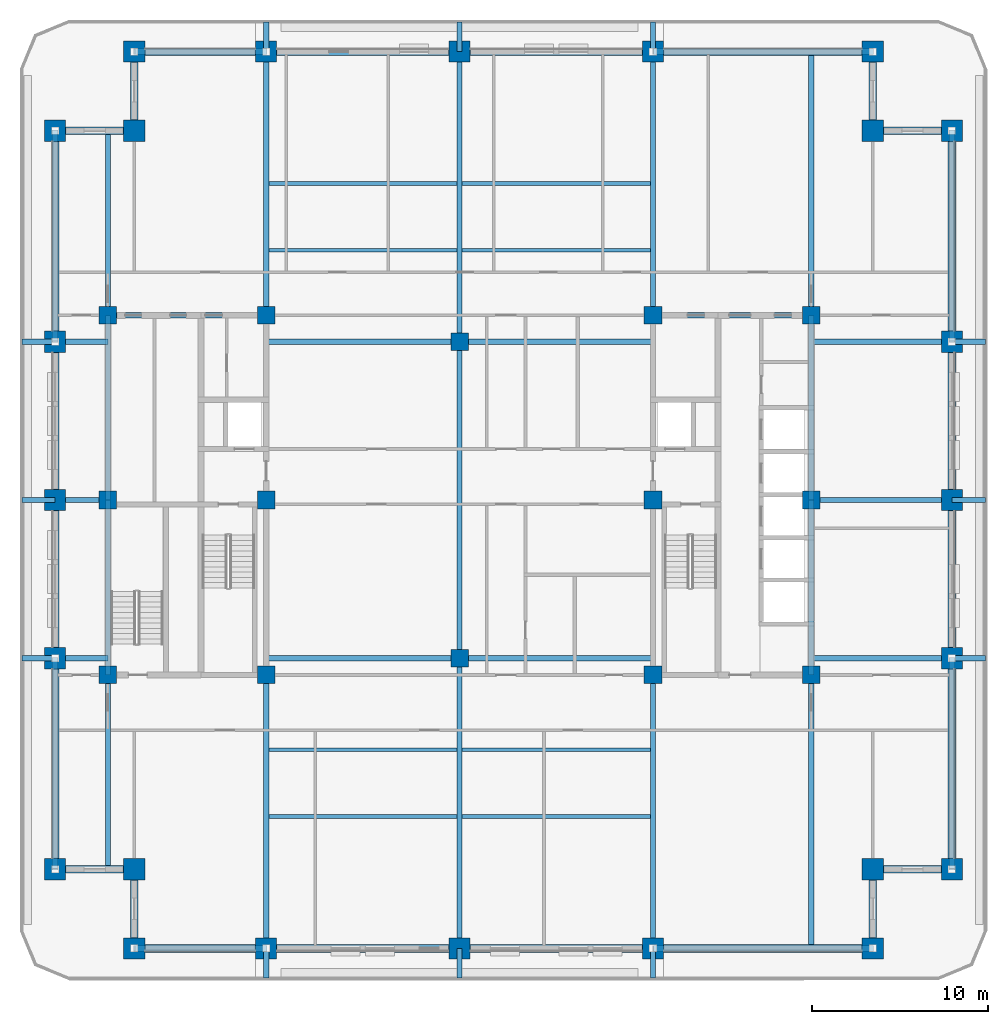
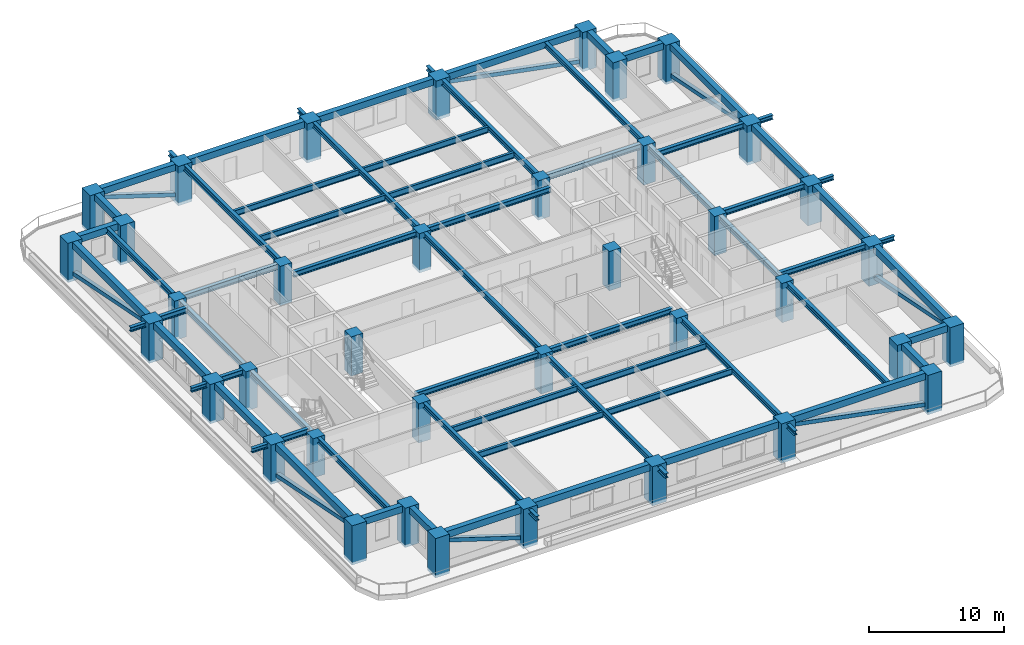
# One storey, part 1 of 14: 71 beams, 38 columns, 8 members.
"""IFC4 building model written with IfcOpenShell, lengths in metres."""

from ifc_helpers import new_model, si_unit, direction, frame, origin, origin_2d, place, context, subcontext, project, spatial, rectangle, hollow_rectangle, i_section, extrude, material, material_profile, profile_set, type_object, element, save


model = new_model("IFC4")

# Units and contexts
model_context = context("Model", 3, precision=1e-05, world=origin(), true_north=direction((0.0, 1.0)))
body_context = subcontext(model_context, "Body", "Model", "MODEL_VIEW")
ifc_project = project(units=[si_unit("LENGTHUNIT", "METRE"), si_unit("AREAUNIT", "SQUARE_METRE"), si_unit("VOLUMEUNIT", "CUBIC_METRE"), si_unit("PLANEANGLEUNIT", "RADIAN"), si_unit("MASSUNIT", "GRAM", prefix="KILO")], contexts=[model_context])

# Site, building, storey
site_placement = place(None, origin())
site = spatial("IfcSite", under=ifc_project, at=site_placement, CompositionType="ELEMENT")
building_placement = place(site_placement, origin())
building = spatial("IfcBuilding", under=site, at=building_placement, Name="Zulmaris Gate Convention Tower", CompositionType="ELEMENT")
storey_placement = place(building_placement, frame((0.0, 0.0, 94.929931640625)))
storey = spatial("IfcBuildingStorey", under=building, at=storey_placement, Name="L23", CompositionType="ELEMENT", Elevation=94.929931640625)

# Columns
ifc_material_1 = material(Name="Concrete C60/75", Category="concrete")
ifc_material_profile_1 = material_profile(ifc_material_1, rectangle(XDim=1.0, YDim=1.0, at=origin_2d()), Name="RC COL 1000x1000")
ifc_profile_set_1 = profile_set([ifc_material_profile_1], Name="Concrete C60/75")
column_type_1 = type_object("IfcColumnType", Name="COL-RC1000", PredefinedType="COLUMN", material=ifc_profile_set_1)
for number, where, z_axis, x_axis, name in (
    (1, (-20.0, -9.949951171875, -0.25), (0.0, 0.0, 1.0), (1.0, 0.0, 0.0), "L23 Column IN--20.00_-9.95"),
    (2, (-20.0, 10.5, -0.25), (0.0, 0.0, 1.0), (1.0, 0.0, 0.0), "L23 Column IN--20.00_+10.50"),
    (3, (-11.0, -9.949951171875, -0.25), (0.0, 0.0, 1.0), (1.0, 0.0, 0.0), "L23 Column IN--11.00_-9.95"),
    (4, (-11.0, 0.0, -0.25), (0.0, 0.0, 1.0), (1.0, 0.0, 0.0), "L23 Column IN--11.00_+0.00"),
    (5, (-11.0, 10.5, -0.25), (0.0, 0.0, 1.0), (1.0, 0.0, 0.0), "L23 Column IN--11.00_+10.50"),
    (6, (11.0, -9.949951171875, -0.25), (0.0, 0.0, 1.0), (1.0, 0.0, 0.0), "L23 Column IN-+11.00_-9.95"),
    (7, (11.0, 0.0, -0.25), (0.0, 0.0, 1.0), (1.0, 0.0, 0.0), "L23 Column IN-+11.00_+0.00"),
    (8, (11.0, 10.5, -0.25), (0.0, 0.0, 1.0), (1.0, 0.0, 0.0), "L23 Column IN-+11.00_+10.50"),
    (9, (20.0, -9.949951171875, -0.25), (0.0, 0.0, 1.0), (1.0, 0.0, 0.0), "L23 Column IN-+20.00_-9.95"),
    (10, (20.0, 10.5, -0.25), (0.0, 0.0, 1.0), (1.0, 0.0, 0.0), "L23 Column IN-+20.00_+10.50"),
    (11, (0.0, -9.0, -0.25), (0.0, 0.0, 1.0), (1.0, 0.0, 0.0), "L23 Column IN-+0.00_-9.00"),
    (12, (0.0, 9.0, -0.25), (0.0, 0.0, 1.0), (1.0, 0.0, 0.0), "L23 Column IN-+0.00_+9.00"),
    (13, (-20.0, 0.0, -0.25), (0.0, 0.0, 1.0), (1.0, 0.0, 0.0), "L23 Column IN--20.00_+0.00"),
    (14, (20.0, 0.0, -0.25), (0.0, 0.0, 1.0), (1.0, 0.0, 0.0), "L23 Column IN-+20.00_+0.00"),
):
    element("IfcColumn", number, at=place(storey_placement, frame(where, z_axis=z_axis, x_axis=x_axis)), inside=storey, type_object=column_type_1, Name=name, PredefinedType="COLUMN", context=body_context, shape_type="SweptSolid", body=[
        extrude(rectangle(XDim=1.0, YDim=1.0, at=origin_2d()), origin(), (0.0, 0.0, 1.0), 3.545166015625),
    ])
ifc_material_2 = material(Name="Concrete C70/85", Category="concrete")
ifc_material_profile_2 = material_profile(ifc_material_2, rectangle(XDim=1.199951171875, YDim=1.199951171875, at=origin_2d()), Name="RC COL 1200x1200")
ifc_profile_set_2 = profile_set([ifc_material_profile_2], Name="Concrete C70/85")
column_type_2 = type_object("IfcColumnType", Name="COL-RC1200", PredefinedType="COLUMN", material=ifc_profile_set_2)
for number, where, z_axis, x_axis, name in (
    (15, (-18.5, -25.5, -0.25), (0.0, 0.0, 1.0), (1.0, 0.0, 0.0), "L23 Column PT--18.50_-25.50"),
    (16, (-11.0, -25.5, -0.25), (0.0, 0.0, 1.0), (1.0, 0.0, 0.0), "L23 Column PT--11.00_-25.50"),
    (17, (0.0, -25.5, -0.25), (0.0, 0.0, 1.0), (1.0, 0.0, 0.0), "L23 Column PT-+0.00_-25.50"),
    (18, (11.0, -25.5, -0.25), (0.0, 0.0, 1.0), (1.0, 0.0, 0.0), "L23 Column PT-+11.00_-25.50"),
    (19, (23.5, -25.5, -0.25), (0.0, 0.0, 1.0), (1.0, 0.0, 0.0), "L23 Column PT-+23.50_-25.50"),
    (20, (-18.5, 25.5, -0.25), (0.0, 0.0, 1.0), (1.0, 0.0, 0.0), "L23 Column PT--18.50_+25.50"),
    (21, (-11.0, 25.5, -0.25), (0.0, 0.0, 1.0), (1.0, 0.0, 0.0), "L23 Column PT--11.00_+25.50"),
    (22, (0.0, 25.5, -0.25), (0.0, 0.0, 1.0), (1.0, 0.0, 0.0), "L23 Column PT-+0.00_+25.50"),
    (23, (11.0, 25.5, -0.25), (0.0, 0.0, 1.0), (1.0, 0.0, 0.0), "L23 Column PT-+11.00_+25.50"),
    (24, (23.5, 25.5, -0.25), (0.0, 0.0, 1.0), (1.0, 0.0, 0.0), "L23 Column PT-+23.50_+25.50"),
    (25, (-23.0, -21.0, -0.25), (0.0, 0.0, 1.0), (1.0, 0.0, 0.0), "L23 Column PT--23.00_-21.00"),
    (26, (-23.0, -9.0, -0.25), (0.0, 0.0, 1.0), (1.0, 0.0, 0.0), "L23 Column PT--23.00_-9.00"),
    (27, (-23.0, 0.0, -0.25), (0.0, 0.0, 1.0), (1.0, 0.0, 0.0), "L23 Column PT--23.00_+0.00"),
    (28, (-23.0, 9.0, -0.25), (0.0, 0.0, 1.0), (1.0, 0.0, 0.0), "L23 Column PT--23.00_+9.00"),
    (29, (-23.0, 21.0, -0.25), (0.0, 0.0, 1.0), (1.0, 0.0, 0.0), "L23 Column PT--23.00_+21.00"),
    (30, (28.0, -21.0, -0.25), (0.0, 0.0, 1.0), (1.0, 0.0, 0.0), "L23 Column PT-+28.00_-21.00"),
    (31, (28.0, -9.0, -0.25), (0.0, 0.0, 1.0), (1.0, 0.0, 0.0), "L23 Column PT-+28.00_-9.00"),
    (32, (28.0, 0.0, -0.25), (0.0, 0.0, 1.0), (1.0, 0.0, 0.0), "L23 Column PT-+28.00_+0.00"),
    (33, (28.0, 9.0, -0.25), (0.0, 0.0, 1.0), (1.0, 0.0, 0.0), "L23 Column PT-+28.00_+9.00"),
    (34, (28.0, 21.0, -0.25), (0.0, 0.0, 1.0), (1.0, 0.0, 0.0), "L23 Column PT-+28.00_+21.00"),
    (35, (-18.5, -21.0, -0.25), (0.0, 0.0, 1.0), (1.0, 0.0, 0.0), "L23 Column PT--18.50_-21.00"),
    (36, (23.5, -21.0, -0.25), (0.0, 0.0, 1.0), (1.0, 0.0, 0.0), "L23 Column PT-+23.50_-21.00"),
    (37, (23.5, 21.0, -0.25), (0.0, 0.0, 1.0), (1.0, 0.0, 0.0), "L23 Column PT-+23.50_+21.00"),
    (38, (-18.5, 21.0, -0.25), (0.0, 0.0, 1.0), (1.0, 0.0, 0.0), "L23 Column PT--18.50_+21.00"),
):
    element("IfcColumn", number, at=place(storey_placement, frame(where, z_axis=z_axis, x_axis=x_axis)), inside=storey, type_object=column_type_2, Name=name, PredefinedType="COLUMN", context=body_context, shape_type="SweptSolid", body=[
        extrude(rectangle(XDim=1.199951171875, YDim=1.199951171875, at=origin_2d()), origin(), (0.0, 0.0, 1.0), 3.545166015625),
    ])

# Beams
ifc_material_3 = material(Name="Steel S355", Category="steel")
ifc_material_profile_3 = material_profile(ifc_material_3, i_section(OverallWidth=0.300048828125, OverallDepth=0.39990234375, WebThickness=0.013427734375, FlangeThickness=0.02392578125, FilletRadius=0.027099609375, at=origin_2d()), Name="HEB 400")
ifc_profile_set_3 = profile_set([ifc_material_profile_3], Name="Steel S355")
beam_type_1 = type_object("IfcBeamType", Name="BM-HEB400", PredefinedType="BEAM", material=ifc_profile_set_3)
for number, where, z_axis, x_axis, name in (
    (39, (-11.0, -27.199951171875, 2.955078125), (0.0, 1.0, 0.0), (-1.0, 0.0, 0.0), "L23 Beam TBRK-L23-S--11"),
    (40, (-11.0, 25.5, 2.955078125), (0.0, 1.0, 0.0), (-1.0, 0.0, 0.0), "L23 Beam TBRK-L23-N--11"),
    (41, (0.0, -27.199951171875, 2.955078125), (0.0, 1.0, 0.0), (-1.0, 0.0, 0.0), "L23 Beam TBRK-L23-S-+0"),
    (42, (0.0, 25.5, 2.955078125), (0.0, 1.0, 0.0), (-1.0, 0.0, 0.0), "L23 Beam TBRK-L23-N-+0"),
    (43, (11.0, -27.199951171875, 2.955078125), (0.0, 1.0, 0.0), (-1.0, 0.0, 0.0), "L23 Beam TBRK-L23-S-+11"),
    (44, (11.0, 25.5, 2.955078125), (0.0, 1.0, 0.0), (-1.0, 0.0, 0.0), "L23 Beam TBRK-L23-N-+11"),
):
    element("IfcBeam", number, at=place(storey_placement, frame(where, z_axis=z_axis, x_axis=x_axis)), inside=storey, type_object=beam_type_1, Name=name, PredefinedType="BEAM", context=body_context, shape_type="SweptSolid", body=[
        extrude(i_section(OverallWidth=0.300048828125, OverallDepth=0.39990234375, WebThickness=0.013427734375, FlangeThickness=0.02392578125, FilletRadius=0.027099609375, at=origin_2d()), origin(), (0.0, 0.0, 1.0), 1.699951171875),
    ])
for number, where, z_axis, x_axis, name in (
    (45, (-24.89990234375, -9.0, 2.955078125), (1.0, 0.0, 0.0), (0.0, 1.0, 0.0), "L23 Beam TBRK-L23-W--9"),
    (46, (28.0, -9.0, 2.955078125), (1.0, 0.0, 0.0), (0.0, 1.0, 0.0), "L23 Beam TBRK-L23-E--9"),
    (47, (-24.89990234375, 0.0, 2.955078125), (1.0, 0.0, 0.0), (0.0, 1.0, 0.0), "L23 Beam TBRK-L23-W-+0"),
    (48, (28.0, 0.0, 2.955078125), (1.0, 0.0, 0.0), (0.0, 1.0, 0.0), "L23 Beam TBRK-L23-E-+0"),
    (49, (-24.89990234375, 9.0, 2.955078125), (1.0, 0.0, 0.0), (0.0, 1.0, 0.0), "L23 Beam TBRK-L23-W-+9"),
    (50, (28.0, 9.0, 2.955078125), (1.0, 0.0, 0.0), (0.0, 1.0, 0.0), "L23 Beam TBRK-L23-E-+9"),
):
    element("IfcBeam", number, at=place(storey_placement, frame(where, z_axis=z_axis, x_axis=x_axis)), inside=storey, type_object=beam_type_1, Name=name, PredefinedType="BEAM", context=body_context, shape_type="SweptSolid", body=[
        extrude(i_section(OverallWidth=0.300048828125, OverallDepth=0.39990234375, WebThickness=0.013427734375, FlangeThickness=0.02392578125, FilletRadius=0.027099609375, at=origin_2d()), origin(), (0.0, 0.0, 1.0), 1.89990234375),
    ])
ifc_material_profile_4 = material_profile(ifc_material_3, i_section(OverallWidth=0.300048828125, OverallDepth=0.5, WebThickness=0.014404296875, FlangeThickness=0.028076171875, FilletRadius=0.027099609375, at=origin_2d()), Name="HEB 500")
ifc_profile_set_4 = profile_set([ifc_material_profile_4], Name="Steel S355")
beam_type_2 = type_object("IfcBeamType", Name="BM-HEB500", PredefinedType="BEAM", material=ifc_profile_set_4)
for number, where, z_axis, x_axis, name in (
    (51, (-11.0, -9.0, 3.04296875), (1.0, 0.0, 0.0), (0.0, 1.0, 0.0), "L23 Beam BM-L23-G01"),
    (52, (0.0, -9.0, 3.04296875), (1.0, 0.0, 0.0), (0.0, 1.0, 0.0), "L23 Beam BM-L23-G02"),
    (53, (-11.0, 9.0, 3.04296875), (1.0, 0.0, 0.0), (0.0, 1.0, 0.0), "L23 Beam BM-L23-G03"),
    (54, (0.0, 9.0, 3.04296875), (1.0, 0.0, 0.0), (0.0, 1.0, 0.0), "L23 Beam BM-L23-G04"),
):
    element("IfcBeam", number, at=place(storey_placement, frame(where, z_axis=z_axis, x_axis=x_axis)), inside=storey, type_object=beam_type_2, Name=name, PredefinedType="BEAM", context=body_context, shape_type="SweptSolid", body=[
        extrude(i_section(OverallWidth=0.300048828125, OverallDepth=0.5, WebThickness=0.014404296875, FlangeThickness=0.028076171875, FilletRadius=0.027099609375, at=origin_2d()), origin(), (0.0, 0.0, 1.0), 11.0),
    ])
beam_1_placement = place(storey_placement, frame((0.0, -25.5, 3.04296875), z_axis=(0.0, 1.0, 0.0), x_axis=(-1.0, 0.0, 0.0)))
element("IfcBeam", 55, at=beam_1_placement, inside=storey, type_object=beam_type_2, Name="L23 Beam BM-L23-G05", PredefinedType="BEAM", context=body_context, shape_type="SweptSolid", body=[
    extrude(i_section(OverallWidth=0.300048828125, OverallDepth=0.5, WebThickness=0.014404296875, FlangeThickness=0.028076171875, FilletRadius=0.027099609375, at=origin_2d()), origin(), (0.0, 0.0, 1.0), 16.5),
])
beam_2_placement = place(storey_placement, frame((0.0, -9.0, 3.04296875), z_axis=(0.0, 1.0, 0.0), x_axis=(-1.0, 0.0, 0.0)))
element("IfcBeam", 56, at=beam_2_placement, inside=storey, type_object=beam_type_2, Name="L23 Beam BM-L23-G06", PredefinedType="BEAM", context=body_context, shape_type="SweptSolid", body=[
    extrude(i_section(OverallWidth=0.300048828125, OverallDepth=0.5, WebThickness=0.014404296875, FlangeThickness=0.028076171875, FilletRadius=0.027099609375, at=origin_2d()), origin(), (0.0, 0.0, 1.0), 18.0),
])
beam_3_placement = place(storey_placement, frame((0.0, 9.0, 3.04296875), z_axis=(0.0, 1.0, 0.0), x_axis=(-1.0, 0.0, 0.0)))
element("IfcBeam", 57, at=beam_3_placement, inside=storey, type_object=beam_type_2, Name="L23 Beam BM-L23-G07", PredefinedType="BEAM", context=body_context, shape_type="SweptSolid", body=[
    extrude(i_section(OverallWidth=0.300048828125, OverallDepth=0.5, WebThickness=0.014404296875, FlangeThickness=0.028076171875, FilletRadius=0.027099609375, at=origin_2d()), origin(), (0.0, 0.0, 1.0), 16.5),
])
beam_4_placement = place(storey_placement, frame((-11.0, -25.5, 3.04296875), z_axis=(0.0, 1.0, 0.0), x_axis=(-1.0, 0.0, 0.0)))
element("IfcBeam", 58, at=beam_4_placement, inside=storey, type_object=beam_type_2, Name="L23 Beam BM-L23-G08", PredefinedType="BEAM", context=body_context, shape_type="SweptSolid", body=[
    extrude(i_section(OverallWidth=0.300048828125, OverallDepth=0.5, WebThickness=0.014404296875, FlangeThickness=0.028076171875, FilletRadius=0.027099609375, at=origin_2d()), origin(), (0.0, 0.0, 1.0), 15.550048828125),
])
beam_5_placement = place(storey_placement, frame((-11.0, 10.5, 3.04296875), z_axis=(0.0, 1.0, 0.0), x_axis=(-1.0, 0.0, 0.0)))
element("IfcBeam", 59, at=beam_5_placement, inside=storey, type_object=beam_type_2, Name="L23 Beam BM-L23-G09", PredefinedType="BEAM", context=body_context, shape_type="SweptSolid", body=[
    extrude(i_section(OverallWidth=0.300048828125, OverallDepth=0.5, WebThickness=0.014404296875, FlangeThickness=0.028076171875, FilletRadius=0.027099609375, at=origin_2d()), origin(), (0.0, 0.0, 1.0), 15.0),
])
beam_6_placement = place(storey_placement, frame((11.0, -25.5, 3.04296875), z_axis=(0.0, 1.0, 0.0), x_axis=(-1.0, 0.0, 0.0)))
element("IfcBeam", 60, at=beam_6_placement, inside=storey, type_object=beam_type_2, Name="L23 Beam BM-L23-G10", PredefinedType="BEAM", context=body_context, shape_type="SweptSolid", body=[
    extrude(i_section(OverallWidth=0.300048828125, OverallDepth=0.5, WebThickness=0.014404296875, FlangeThickness=0.028076171875, FilletRadius=0.027099609375, at=origin_2d()), origin(), (0.0, 0.0, 1.0), 15.550048828125),
])
beam_7_placement = place(storey_placement, frame((11.0, 10.5, 3.04296875), z_axis=(0.0, 1.0, 0.0), x_axis=(-1.0, 0.0, 0.0)))
element("IfcBeam", 61, at=beam_7_placement, inside=storey, type_object=beam_type_2, Name="L23 Beam BM-L23-G11", PredefinedType="BEAM", context=body_context, shape_type="SweptSolid", body=[
    extrude(i_section(OverallWidth=0.300048828125, OverallDepth=0.5, WebThickness=0.014404296875, FlangeThickness=0.028076171875, FilletRadius=0.027099609375, at=origin_2d()), origin(), (0.0, 0.0, 1.0), 15.0),
])
beam_8_placement = place(storey_placement, frame((-20.0, -21.0, 3.04296875), z_axis=(0.0, 1.0, 0.0), x_axis=(-1.0, 0.0, 0.0)))
element("IfcBeam", 62, at=beam_8_placement, inside=storey, type_object=beam_type_2, Name="L23 Beam BM-L23-G12", PredefinedType="BEAM", context=body_context, shape_type="SweptSolid", body=[
    extrude(i_section(OverallWidth=0.300048828125, OverallDepth=0.5, WebThickness=0.014404296875, FlangeThickness=0.028076171875, FilletRadius=0.027099609375, at=origin_2d()), origin(), (0.0, 0.0, 1.0), 11.050048828125),
])
beam_9_placement = place(storey_placement, frame((-20.0, 10.5, 3.04296875), z_axis=(0.0, 1.0, 0.0), x_axis=(-1.0, 0.0, 0.0)))
element("IfcBeam", 63, at=beam_9_placement, inside=storey, type_object=beam_type_2, Name="L23 Beam BM-L23-G13", PredefinedType="BEAM", context=body_context, shape_type="SweptSolid", body=[
    extrude(i_section(OverallWidth=0.300048828125, OverallDepth=0.5, WebThickness=0.014404296875, FlangeThickness=0.028076171875, FilletRadius=0.027099609375, at=origin_2d()), origin(), (0.0, 0.0, 1.0), 10.5),
])
beam_10_placement = place(storey_placement, frame((20.0, -25.5, 3.04296875), z_axis=(0.0, 1.0, 0.0), x_axis=(-1.0, 0.0, 0.0)))
element("IfcBeam", 64, at=beam_10_placement, inside=storey, type_object=beam_type_2, Name="L23 Beam BM-L23-G14", PredefinedType="BEAM", context=body_context, shape_type="SweptSolid", body=[
    extrude(i_section(OverallWidth=0.300048828125, OverallDepth=0.5, WebThickness=0.014404296875, FlangeThickness=0.028076171875, FilletRadius=0.027099609375, at=origin_2d()), origin(), (0.0, 0.0, 1.0), 15.550048828125),
])
beam_11_placement = place(storey_placement, frame((20.0, 10.5, 3.04296875), z_axis=(0.0, 1.0, 0.0), x_axis=(-1.0, 0.0, 0.0)))
element("IfcBeam", 65, at=beam_11_placement, inside=storey, type_object=beam_type_2, Name="L23 Beam BM-L23-G15", PredefinedType="BEAM", context=body_context, shape_type="SweptSolid", body=[
    extrude(i_section(OverallWidth=0.300048828125, OverallDepth=0.5, WebThickness=0.014404296875, FlangeThickness=0.028076171875, FilletRadius=0.027099609375, at=origin_2d()), origin(), (0.0, 0.0, 1.0), 15.0),
])
for number, where, z_axis, x_axis, name in (
    (66, (-23.0, -9.0, 3.04296875), (1.0, 0.0, 0.0), (0.0, 1.0, 0.0), "L23 Beam BM-L23-G16"),
    (67, (-23.0, 0.0, 3.04296875), (1.0, 0.0, 0.0), (0.0, 1.0, 0.0), "L23 Beam BM-L23-G17"),
    (68, (-23.0, 9.0, 3.04296875), (1.0, 0.0, 0.0), (0.0, 1.0, 0.0), "L23 Beam BM-L23-G18"),
):
    element("IfcBeam", number, at=place(storey_placement, frame(where, z_axis=z_axis, x_axis=x_axis)), inside=storey, type_object=beam_type_2, Name=name, PredefinedType="BEAM", context=body_context, shape_type="SweptSolid", body=[
        extrude(i_section(OverallWidth=0.300048828125, OverallDepth=0.5, WebThickness=0.014404296875, FlangeThickness=0.028076171875, FilletRadius=0.027099609375, at=origin_2d()), origin(), (0.0, 0.0, 1.0), 3.0),
    ])
for number, where, z_axis, x_axis, name in (
    (69, (20.0, -9.0, 3.04296875), (1.0, 0.0, 0.0), (0.0, 1.0, 0.0), "L23 Beam BM-L23-G19"),
    (70, (20.0, 0.0, 3.04296875), (1.0, 0.0, 0.0), (0.0, 1.0, 0.0), "L23 Beam BM-L23-G20"),
    (71, (20.0, 9.0, 3.04296875), (1.0, 0.0, 0.0), (0.0, 1.0, 0.0), "L23 Beam BM-L23-G21"),
):
    element("IfcBeam", number, at=place(storey_placement, frame(where, z_axis=z_axis, x_axis=x_axis)), inside=storey, type_object=beam_type_2, Name=name, PredefinedType="BEAM", context=body_context, shape_type="SweptSolid", body=[
        extrude(i_section(OverallWidth=0.300048828125, OverallDepth=0.5, WebThickness=0.014404296875, FlangeThickness=0.028076171875, FilletRadius=0.027099609375, at=origin_2d()), origin(), (0.0, 0.0, 1.0), 8.0),
    ])
for number, where, z_axis, x_axis, name in (
    (72, (-20.0, 10.5, 3.04296875), (1.0, 0.0, 0.0), (0.0, 1.0, 0.0), "L23 Beam BM-L23-G23"),
    (73, (11.0, 10.5, 3.04296875), (1.0, 0.0, 0.0), (0.0, 1.0, 0.0), "L23 Beam BM-L23-G25"),
):
    element("IfcBeam", number, at=place(storey_placement, frame(where, z_axis=z_axis, x_axis=x_axis)), inside=storey, type_object=beam_type_2, Name=name, PredefinedType="BEAM", context=body_context, shape_type="SweptSolid", body=[
        extrude(i_section(OverallWidth=0.300048828125, OverallDepth=0.5, WebThickness=0.014404296875, FlangeThickness=0.028076171875, FilletRadius=0.027099609375, at=origin_2d()), origin(), (0.0, 0.0, 1.0), 9.0),
    ])
beam_12_placement = place(storey_placement, frame((-20.0, -9.949951171875, 3.04296875), z_axis=(0.0, 1.0, 0.0), x_axis=(-1.0, 0.0, 0.0)))
element("IfcBeam", 74, at=beam_12_placement, inside=storey, type_object=beam_type_2, Name="L23 Beam BM-L23-G26", PredefinedType="BEAM", context=body_context, shape_type="SweptSolid", body=[
    extrude(i_section(OverallWidth=0.300048828125, OverallDepth=0.5, WebThickness=0.014404296875, FlangeThickness=0.028076171875, FilletRadius=0.027099609375, at=origin_2d()), origin(), (0.0, 0.0, 1.0), 9.949951171875),
])
beam_13_placement = place(storey_placement, frame((-20.0, 0.0, 3.04296875), z_axis=(0.0, 1.0, 0.0), x_axis=(-1.0, 0.0, 0.0)))
element("IfcBeam", 75, at=beam_13_placement, inside=storey, type_object=beam_type_2, Name="L23 Beam BM-L23-G27", PredefinedType="BEAM", context=body_context, shape_type="SweptSolid", body=[
    extrude(i_section(OverallWidth=0.300048828125, OverallDepth=0.5, WebThickness=0.014404296875, FlangeThickness=0.028076171875, FilletRadius=0.027099609375, at=origin_2d()), origin(), (0.0, 0.0, 1.0), 10.5),
])
beam_14_placement = place(storey_placement, frame((20.0, -9.949951171875, 3.04296875), z_axis=(0.0, 1.0, 0.0), x_axis=(-1.0, 0.0, 0.0)))
element("IfcBeam", 76, at=beam_14_placement, inside=storey, type_object=beam_type_2, Name="L23 Beam BM-L23-G28", PredefinedType="BEAM", context=body_context, shape_type="SweptSolid", body=[
    extrude(i_section(OverallWidth=0.300048828125, OverallDepth=0.5, WebThickness=0.014404296875, FlangeThickness=0.028076171875, FilletRadius=0.027099609375, at=origin_2d()), origin(), (0.0, 0.0, 1.0), 9.949951171875),
])
beam_15_placement = place(storey_placement, frame((20.0, 0.0, 3.04296875), z_axis=(0.0, 1.0, 0.0), x_axis=(-1.0, 0.0, 0.0)))
element("IfcBeam", 77, at=beam_15_placement, inside=storey, type_object=beam_type_2, Name="L23 Beam BM-L23-G29", PredefinedType="BEAM", context=body_context, shape_type="SweptSolid", body=[
    extrude(i_section(OverallWidth=0.300048828125, OverallDepth=0.5, WebThickness=0.014404296875, FlangeThickness=0.028076171875, FilletRadius=0.027099609375, at=origin_2d()), origin(), (0.0, 0.0, 1.0), 10.5),
])
ifc_material_4 = material(Name="Precast concrete C50/60", Category="concrete")
ifc_material_profile_5 = material_profile(ifc_material_4, rectangle(XDim=0.449951171875, YDim=0.60009765625, at=origin_2d()), Name="RC SPANDREL 450x600")
ifc_profile_set_5 = profile_set([ifc_material_profile_5], Name="Precast concrete C50/60")
beam_type_3 = type_object("IfcBeamType", Name="BM-SP450x600", PredefinedType="SPANDREL", material=ifc_profile_set_5)
beam_16_placement = place(storey_placement, frame((-18.5, -25.5, 2.9951171875), z_axis=(1.0, 0.0, 0.0), x_axis=(0.0, 1.0, 0.0)))
element("IfcBeam", 78, at=beam_16_placement, inside=storey, type_object=beam_type_3, Name="L23 Spandrel SP-L23-01", PredefinedType="SPANDREL", context=body_context, shape_type="SweptSolid", body=[
    extrude(rectangle(XDim=0.449951171875, YDim=0.60009765625, at=origin_2d()), origin(), (0.0, 0.0, 1.0), 7.5),
])
for number, where, z_axis, x_axis, name in (
    (79, (-11.0, -25.5, 2.9951171875), (1.0, 0.0, 0.0), (0.0, 1.0, 0.0), "L23 Spandrel SP-L23-02"),
    (80, (0.0, -25.5, 2.9951171875), (1.0, 0.0, 0.0), (0.0, 1.0, 0.0), "L23 Spandrel SP-L23-03"),
):
    element("IfcBeam", number, at=place(storey_placement, frame(where, z_axis=z_axis, x_axis=x_axis)), inside=storey, type_object=beam_type_3, Name=name, PredefinedType="SPANDREL", context=body_context, shape_type="SweptSolid", body=[
        extrude(rectangle(XDim=0.449951171875, YDim=0.60009765625, at=origin_2d()), origin(), (0.0, 0.0, 1.0), 11.0),
    ])
beam_17_placement = place(storey_placement, frame((11.0, -25.5, 2.9951171875), z_axis=(1.0, 0.0, 0.0), x_axis=(0.0, 1.0, 0.0)))
element("IfcBeam", 81, at=beam_17_placement, inside=storey, type_object=beam_type_3, Name="L23 Spandrel SP-L23-04", PredefinedType="SPANDREL", context=body_context, shape_type="SweptSolid", body=[
    extrude(rectangle(XDim=0.449951171875, YDim=0.60009765625, at=origin_2d()), origin(), (0.0, 0.0, 1.0), 12.5),
])
for number, where, z_axis, x_axis, name in (
    (82, (23.5, -25.5, 2.9951171875), (0.0, 1.0, 0.0), (-1.0, 0.0, 0.0), "L23 Spandrel SP-L23-05"),
    (83, (23.5, -21.0, 2.9951171875), (1.0, 0.0, 0.0), (0.0, 1.0, 0.0), "L23 Spandrel SP-L23-06"),
):
    element("IfcBeam", number, at=place(storey_placement, frame(where, z_axis=z_axis, x_axis=x_axis)), inside=storey, type_object=beam_type_3, Name=name, PredefinedType="SPANDREL", context=body_context, shape_type="SweptSolid", body=[
        extrude(rectangle(XDim=0.449951171875, YDim=0.60009765625, at=origin_2d()), origin(), (0.0, 0.0, 1.0), 4.5),
    ])
beam_18_placement = place(storey_placement, frame((28.0, -21.0, 2.9951171875), z_axis=(0.0, 1.0, 0.0), x_axis=(-1.0, 0.0, 0.0)))
element("IfcBeam", 84, at=beam_18_placement, inside=storey, type_object=beam_type_3, Name="L23 Spandrel SP-L23-07", PredefinedType="SPANDREL", context=body_context, shape_type="SweptSolid", body=[
    extrude(rectangle(XDim=0.449951171875, YDim=0.60009765625, at=origin_2d()), origin(), (0.0, 0.0, 1.0), 12.0),
])
for number, where, z_axis, x_axis, name in (
    (85, (28.0, -9.0, 2.9951171875), (0.0, 1.0, 0.0), (-1.0, 0.0, 0.0), "L23 Spandrel SP-L23-08"),
    (86, (28.0, 0.0, 2.9951171875), (0.0, 1.0, 0.0), (-1.0, 0.0, 0.0), "L23 Spandrel SP-L23-09"),
):
    element("IfcBeam", number, at=place(storey_placement, frame(where, z_axis=z_axis, x_axis=x_axis)), inside=storey, type_object=beam_type_3, Name=name, PredefinedType="SPANDREL", context=body_context, shape_type="SweptSolid", body=[
        extrude(rectangle(XDim=0.449951171875, YDim=0.60009765625, at=origin_2d()), origin(), (0.0, 0.0, 1.0), 9.0),
    ])
beam_19_placement = place(storey_placement, frame((28.0, 9.0, 2.9951171875), z_axis=(0.0, 1.0, 0.0), x_axis=(-1.0, 0.0, 0.0)))
element("IfcBeam", 87, at=beam_19_placement, inside=storey, type_object=beam_type_3, Name="L23 Spandrel SP-L23-10", PredefinedType="SPANDREL", context=body_context, shape_type="SweptSolid", body=[
    extrude(rectangle(XDim=0.449951171875, YDim=0.60009765625, at=origin_2d()), origin(), (0.0, 0.0, 1.0), 12.0),
])
for number, where, z_axis, x_axis, name in (
    (88, (28.0, 21.0, 2.9951171875), (-1.0, 0.0, 0.0), (0.0, -1.0, 0.0), "L23 Spandrel SP-L23-11"),
    (89, (23.5, 21.0, 2.9951171875), (0.0, 1.0, 0.0), (-1.0, 0.0, 0.0), "L23 Spandrel SP-L23-12"),
):
    element("IfcBeam", number, at=place(storey_placement, frame(where, z_axis=z_axis, x_axis=x_axis)), inside=storey, type_object=beam_type_3, Name=name, PredefinedType="SPANDREL", context=body_context, shape_type="SweptSolid", body=[
        extrude(rectangle(XDim=0.449951171875, YDim=0.60009765625, at=origin_2d()), origin(), (0.0, 0.0, 1.0), 4.5),
    ])
beam_20_placement = place(storey_placement, frame((23.5, 25.5, 2.9951171875), z_axis=(-1.0, 0.0, 0.0), x_axis=(0.0, -1.0, 0.0)))
element("IfcBeam", 90, at=beam_20_placement, inside=storey, type_object=beam_type_3, Name="L23 Spandrel SP-L23-13", PredefinedType="SPANDREL", context=body_context, shape_type="SweptSolid", body=[
    extrude(rectangle(XDim=0.449951171875, YDim=0.60009765625, at=origin_2d()), origin(), (0.0, 0.0, 1.0), 12.5),
])
for number, where, z_axis, x_axis, name in (
    (91, (11.0, 25.5, 2.9951171875), (-1.0, 0.0, 0.0), (0.0, -1.0, 0.0), "L23 Spandrel SP-L23-14"),
    (92, (0.0, 25.5, 2.9951171875), (-1.0, 0.0, 0.0), (0.0, -1.0, 0.0), "L23 Spandrel SP-L23-15"),
):
    element("IfcBeam", number, at=place(storey_placement, frame(where, z_axis=z_axis, x_axis=x_axis)), inside=storey, type_object=beam_type_3, Name=name, PredefinedType="SPANDREL", context=body_context, shape_type="SweptSolid", body=[
        extrude(rectangle(XDim=0.449951171875, YDim=0.60009765625, at=origin_2d()), origin(), (0.0, 0.0, 1.0), 11.0),
    ])
beam_21_placement = place(storey_placement, frame((-11.0, 25.5, 2.9951171875), z_axis=(-1.0, 0.0, 0.0), x_axis=(0.0, -1.0, 0.0)))
element("IfcBeam", 93, at=beam_21_placement, inside=storey, type_object=beam_type_3, Name="L23 Spandrel SP-L23-16", PredefinedType="SPANDREL", context=body_context, shape_type="SweptSolid", body=[
    extrude(rectangle(XDim=0.449951171875, YDim=0.60009765625, at=origin_2d()), origin(), (0.0, 0.0, 1.0), 7.5),
])
for number, where, z_axis, x_axis, name in (
    (94, (-18.5, 25.5, 2.9951171875), (0.0, -1.0, 0.0), (1.0, 0.0, 0.0), "L23 Spandrel SP-L23-17"),
    (95, (-18.5, 21.0, 2.9951171875), (-1.0, 0.0, 0.0), (0.0, -1.0, 0.0), "L23 Spandrel SP-L23-18"),
):
    element("IfcBeam", number, at=place(storey_placement, frame(where, z_axis=z_axis, x_axis=x_axis)), inside=storey, type_object=beam_type_3, Name=name, PredefinedType="SPANDREL", context=body_context, shape_type="SweptSolid", body=[
        extrude(rectangle(XDim=0.449951171875, YDim=0.60009765625, at=origin_2d()), origin(), (0.0, 0.0, 1.0), 4.5),
    ])
beam_22_placement = place(storey_placement, frame((-23.0, 21.0, 2.9951171875), z_axis=(0.0, -1.0, 0.0), x_axis=(1.0, 0.0, 0.0)))
element("IfcBeam", 96, at=beam_22_placement, inside=storey, type_object=beam_type_3, Name="L23 Spandrel SP-L23-19", PredefinedType="SPANDREL", context=body_context, shape_type="SweptSolid", body=[
    extrude(rectangle(XDim=0.449951171875, YDim=0.60009765625, at=origin_2d()), origin(), (0.0, 0.0, 1.0), 12.0),
])
for number, where, z_axis, x_axis, name in (
    (97, (-23.0, 9.0, 2.9951171875), (0.0, -1.0, 0.0), (1.0, 0.0, 0.0), "L23 Spandrel SP-L23-20"),
    (98, (-23.0, 0.0, 2.9951171875), (0.0, -1.0, 0.0), (1.0, 0.0, 0.0), "L23 Spandrel SP-L23-21"),
):
    element("IfcBeam", number, at=place(storey_placement, frame(where, z_axis=z_axis, x_axis=x_axis)), inside=storey, type_object=beam_type_3, Name=name, PredefinedType="SPANDREL", context=body_context, shape_type="SweptSolid", body=[
        extrude(rectangle(XDim=0.449951171875, YDim=0.60009765625, at=origin_2d()), origin(), (0.0, 0.0, 1.0), 9.0),
    ])
beam_23_placement = place(storey_placement, frame((-23.0, -9.0, 2.9951171875), z_axis=(0.0, -1.0, 0.0), x_axis=(1.0, 0.0, 0.0)))
element("IfcBeam", 99, at=beam_23_placement, inside=storey, type_object=beam_type_3, Name="L23 Spandrel SP-L23-22", PredefinedType="SPANDREL", context=body_context, shape_type="SweptSolid", body=[
    extrude(rectangle(XDim=0.449951171875, YDim=0.60009765625, at=origin_2d()), origin(), (0.0, 0.0, 1.0), 12.0),
])
for number, where, z_axis, x_axis, name in (
    (100, (-23.0, -21.0, 2.9951171875), (1.0, 0.0, 0.0), (0.0, 1.0, 0.0), "L23 Spandrel SP-L23-23"),
    (101, (-18.5, -21.0, 2.9951171875), (0.0, -1.0, 0.0), (1.0, 0.0, 0.0), "L23 Spandrel SP-L23-24"),
):
    element("IfcBeam", number, at=place(storey_placement, frame(where, z_axis=z_axis, x_axis=x_axis)), inside=storey, type_object=beam_type_3, Name=name, PredefinedType="SPANDREL", context=body_context, shape_type="SweptSolid", body=[
        extrude(rectangle(XDim=0.449951171875, YDim=0.60009765625, at=origin_2d()), origin(), (0.0, 0.0, 1.0), 4.5),
    ])

# Members
ifc_material_5 = material(Name="Steel S460", Category="steel")
ifc_material_profile_6 = material_profile(ifc_material_5, hollow_rectangle(XDim=0.35009765625, YDim=0.35009765625, WallThickness=0.01611328125, at=origin_2d()), Name="SHS 350x350x16")
ifc_profile_set_6 = profile_set([ifc_material_profile_6], Name="Steel S460")
member_type = type_object("IfcMemberType", Name="BR-SHS350", PredefinedType="BRACE", material=ifc_profile_set_6)
for number, where, z_axis, x_axis, name in (
    (102, (-23.0, -9.0, 0.300048828125), (0.0, -0.980971724185, 0.194150653745), (1.0, 0.0, 0.0), "L23 Perimeter Tube Diagonal SW-W"),
    (103, (-23.0, 21.0, 0.300048828125), (0.0, -0.980971724185, 0.194150653745), (1.0, 0.0, 0.0), "L23 Perimeter Tube Diagonal NW-W"),
    (104, (28.0, -9.0, 0.300048828125), (0.0, -0.980971724185, 0.194150653745), (1.0, 0.0, 0.0), "L23 Perimeter Tube Diagonal SE-E"),
    (105, (28.0, 21.0, 0.300048828125), (0.0, -0.980971724185, 0.194150653745), (1.0, 0.0, 0.0), "L23 Perimeter Tube Diagonal NE-E"),
):
    element("IfcMember", number, at=place(storey_placement, frame(where, z_axis=z_axis, x_axis=x_axis)), inside=storey, type_object=member_type, Name=name, PredefinedType="BRACE", context=body_context, shape_type="SweptSolid", body=[
        extrude(hollow_rectangle(XDim=0.35009765625, YDim=0.35009765625, WallThickness=0.01611328125, at=origin_2d()), origin(), (0.0, 0.0, 1.0), 12.232666015625),
    ])
member_1_placement = place(storey_placement, frame((-11.0, -25.5, 0.300048828125), z_axis=(-0.953342225351, 0.0, 0.301891704694), x_axis=(0.0, -1.0, 0.0)))
element("IfcMember", 106, at=member_1_placement, inside=storey, type_object=member_type, Name="L23 Perimeter Tube Diagonal SW-S", PredefinedType="BRACE", context=body_context, shape_type="SweptSolid", body=[
    extrude(hollow_rectangle(XDim=0.35009765625, YDim=0.35009765625, WallThickness=0.01611328125, at=origin_2d()), origin(), (0.0, 0.0, 1.0), 7.866943359375),
])
member_2_placement = place(storey_placement, frame((23.5, -25.5, 0.300048828125), z_axis=(-0.982424451701, 0.0, 0.186660645823), x_axis=(0.0, -1.0, 0.0)))
element("IfcMember", 107, at=member_2_placement, inside=storey, type_object=member_type, Name="L23 Perimeter Tube Diagonal SE-S", PredefinedType="BRACE", context=body_context, shape_type="SweptSolid", body=[
    extrude(hollow_rectangle(XDim=0.35009765625, YDim=0.35009765625, WallThickness=0.01611328125, at=origin_2d()), origin(), (0.0, 0.0, 1.0), 12.7236328125),
])
member_3_placement = place(storey_placement, frame((-11.0, 25.5, 0.300048828125), z_axis=(-0.953342225351, 0.0, 0.301891704694), x_axis=(0.0, -1.0, 0.0)))
element("IfcMember", 108, at=member_3_placement, inside=storey, type_object=member_type, Name="L23 Perimeter Tube Diagonal NW-N", PredefinedType="BRACE", context=body_context, shape_type="SweptSolid", body=[
    extrude(hollow_rectangle(XDim=0.35009765625, YDim=0.35009765625, WallThickness=0.01611328125, at=origin_2d()), origin(), (0.0, 0.0, 1.0), 7.866943359375),
])
member_4_placement = place(storey_placement, frame((23.5, 25.5, 0.300048828125), z_axis=(-0.982424451701, 0.0, 0.186660645823), x_axis=(0.0, -1.0, 0.0)))
element("IfcMember", 109, at=member_4_placement, inside=storey, type_object=member_type, Name="L23 Perimeter Tube Diagonal NE-N", PredefinedType="BRACE", context=body_context, shape_type="SweptSolid", body=[
    extrude(hollow_rectangle(XDim=0.35009765625, YDim=0.35009765625, WallThickness=0.01611328125, at=origin_2d()), origin(), (0.0, 0.0, 1.0), 12.7236328125),
])

# Beams
ifc_material_profile_7 = material_profile(ifc_material_3, i_section(OverallWidth=0.2099609375, OverallDepth=0.550048828125, WebThickness=0.010986328125, FlangeThickness=0.01708984375, FilletRadius=0.02392578125, at=origin_2d()), Name="IPE 550")
ifc_profile_set_7 = profile_set([ifc_material_profile_7], Name="Steel S355")
beam_type_4 = type_object("IfcBeamType", Name="JT-IPE550", PredefinedType="JOIST", material=ifc_profile_set_7)
for number, where, z_axis, x_axis, name in (
    (110, (-10.85009765625, -18.0, 3.01806640625), (1.0, 0.0, 0.0), (0.0, 1.0, 0.0), "L23 Joist JT-L23-CW--18.0"),
    (111, (0.14990234375, -18.0, 3.01806640625), (1.0, 0.0, 0.0), (0.0, 1.0, 0.0), "L23 Joist JT-L23-CE--18.0"),
    (112, (-10.85009765625, -14.199951171875, 3.01806640625), (1.0, 0.0, 0.0), (0.0, 1.0, 0.0), "L23 Joist JT-L23-CW--14.2"),
    (113, (0.14990234375, -14.199951171875, 3.01806640625), (1.0, 0.0, 0.0), (0.0, 1.0, 0.0), "L23 Joist JT-L23-CE--14.2"),
    (114, (-10.85009765625, 14.199951171875, 3.01806640625), (1.0, 0.0, 0.0), (0.0, 1.0, 0.0), "L23 Joist JT-L23-CW-+14.2"),
    (115, (0.14990234375, 14.199951171875, 3.01806640625), (1.0, 0.0, 0.0), (0.0, 1.0, 0.0), "L23 Joist JT-L23-CE-+14.2"),
    (116, (-10.85009765625, 18.0, 3.01806640625), (1.0, 0.0, 0.0), (0.0, 1.0, 0.0), "L23 Joist JT-L23-CW-+18.0"),
    (117, (0.14990234375, 18.0, 3.01806640625), (1.0, 0.0, 0.0), (0.0, 1.0, 0.0), "L23 Joist JT-L23-CE-+18.0"),
):
    element("IfcBeam", number, at=place(storey_placement, frame(where, z_axis=z_axis, x_axis=x_axis)), inside=storey, type_object=beam_type_4, Name=name, PredefinedType="JOIST", context=body_context, shape_type="SweptSolid", body=[
        extrude(i_section(OverallWidth=0.2099609375, OverallDepth=0.550048828125, WebThickness=0.010986328125, FlangeThickness=0.01708984375, FilletRadius=0.02392578125, at=origin_2d()), origin(), (0.0, 0.0, 1.0), 10.7001953125),
    ])

save(model, "model.ifc")
